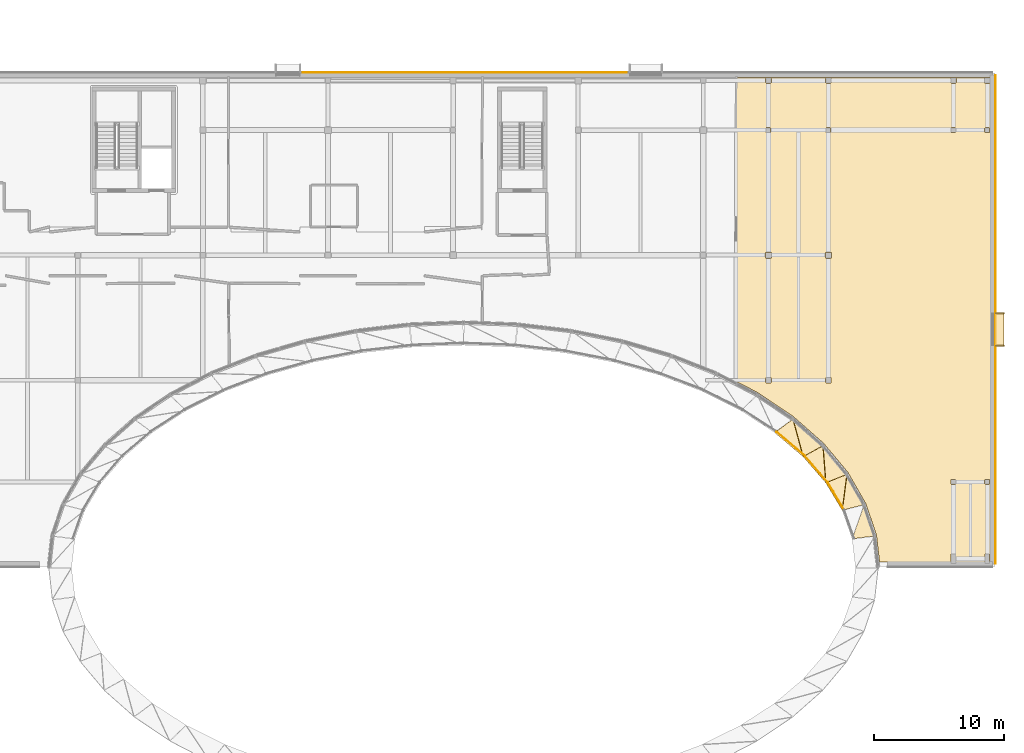
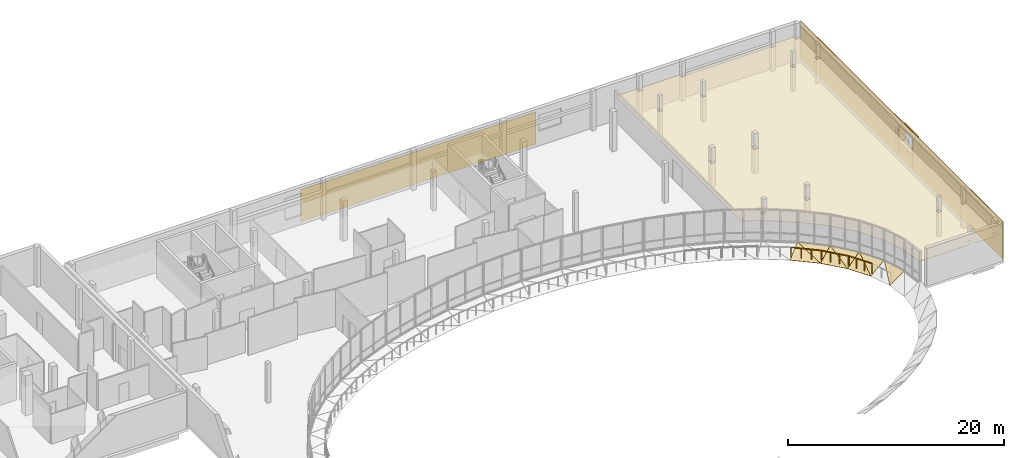
# One storey, part 39 of 41: 17 coverings, 3 railings.
"""IFC4 building model written with IfcOpenShell, lengths in metres."""

import ifcopenshell
import ifcopenshell.guid

model = None  # the IFC model being written
_history = None  # IfcOwnerHistory: only IFC2X3 demands one
_inside = {}  # id of a spatial element -> (the spatial element, [elements in it])
_under = {}  # id of a project, library or spatial element -> (it, [spatial elements below it])
_declared = {}  # id of a project -> (the project, [libraries it declares])
_typed = {}  # id of a type object -> (the type object, [elements of that type])
_made_of = {}  # id of a material, layer set ... -> (it, [elements and type objects made of it])


def new_model(schema):
    """Start an empty IFC model of exactly this schema.

    Asked for "IFC4X3", IfcOpenShell would pick the latest addendum, in which some entities
    have other attributes; the version numbers below select the first issue.
    IFC2X3 requires an IfcOwnerHistory on every rooted entity: one is made here for all.
    """
    global model, _history
    if schema == "IFC4X3":
        model = ifcopenshell.file(schema_version=(4, 3, 0, 0))
    else:
        model = ifcopenshell.file(schema=schema)
    _inside.clear()
    _under.clear()
    _declared.clear()
    _typed.clear()
    _made_of.clear()
    _history = None
    if model.schema == "IFC2X3":
        org = make("IfcOrganization", Name="unknown")
        user = make(
            "IfcPersonAndOrganization",
            ThePerson=make("IfcPerson", FamilyName="unknown"),
            TheOrganization=org,
        )
        app = make(
            "IfcApplication",
            ApplicationDeveloper=org,
            Version="unknown",
            ApplicationFullName="unknown",
            ApplicationIdentifier="unknown",
        )
        _history = make(
            "IfcOwnerHistory",
            OwningUser=user,
            OwningApplication=app,
            ChangeAction="ADDED",
            CreationDate=0,
        )
    return model


def make(cls, **values):
    """One entity of the class cls with the attributes given. An attribute that is None is left unset."""
    return model.create_entity(
        cls, **{name: value for name, value in values.items() if value is not None}
    )


def rooted(cls, **values):
    """An entity with a GlobalId (a new one), such as an element, a storey or a relation."""
    return make(cls, GlobalId=ifcopenshell.guid.new(), OwnerHistory=_history, **values)


def si_unit(unit_type, name, prefix=None):
    """IfcSIUnit, for example si_unit("LENGTHUNIT", "METRE", prefix="MILLI")."""
    return make("IfcSIUnit", UnitType=unit_type, Prefix=prefix, Name=name)


def assignment(units):
    """IfcUnitAssignment: the units of a project."""
    return None if units is None else make("IfcUnitAssignment", Units=units)


def point(xyz):
    """IfcCartesianPoint."""
    return None if xyz is None else make("IfcCartesianPoint", Coordinates=xyz)


def direction(xyz):
    """IfcDirection."""
    return None if xyz is None else make("IfcDirection", DirectionRatios=xyz)


def frame(location, z_axis=None, x_axis=None):
    """IfcAxis2Placement3D, a coordinate frame: its origin and axes. An axis left out is left unset."""
    return make(
        "IfcAxis2Placement3D",
        Location=point(location),
        Axis=direction(z_axis),
        RefDirection=direction(x_axis),
    )


def frame_2d(location, x_axis=None):
    """IfcAxis2Placement2D, a coordinate frame in the plane: its origin and x axis."""
    return make(
        "IfcAxis2Placement2D", Location=point(location), RefDirection=direction(x_axis)
    )


def origin():
    """The frame at (0, 0, 0) with its axes left unset."""
    return frame((0.0, 0.0, 0.0))


def origin_2d():
    """The frame at (0, 0) in the plane with its x axis left unset."""
    return frame_2d((0.0, 0.0))


def place(relative_to, where):
    """IfcLocalPlacement: puts the frame where relative to a parent placement (None: the world)."""
    return make(
        "IfcLocalPlacement", PlacementRelTo=relative_to, RelativePlacement=where
    )


def context(
    kind, dimensions, precision=None, world=None, true_north=None, identifier=None
):
    """IfcGeometricRepresentationContext, for example the 3D "Model" context."""
    return make(
        "IfcGeometricRepresentationContext",
        ContextIdentifier=identifier,
        ContextType=kind,
        CoordinateSpaceDimension=dimensions,
        Precision=precision,
        WorldCoordinateSystem=world,
        TrueNorth=true_north,
    )


def subcontext(parent, identifier, kind, view, scale=None):
    """IfcGeometricRepresentationSubContext, for example "Body" below "Model"."""
    return make(
        "IfcGeometricRepresentationSubContext",
        ContextIdentifier=identifier,
        ContextType=kind,
        ParentContext=parent,
        TargetScale=scale,
        TargetView=view,
    )


def project(units=None, contexts=None):
    """IfcProject with its units and contexts."""
    return rooted(
        "IfcProject",
        Name="project",
        RepresentationContexts=contexts,
        UnitsInContext=assignment(units),
    )


def spatial(cls, under=None, at=None, **own):
    """A site, building, storey or space (cls), placed at a placement, below another one or the project."""
    s = rooted(cls, ObjectPlacement=at, **own)
    if under is not None:
        _under.setdefault(under.id(), (under, []))[1].append(s)
    return s


def polyline(points):
    """IfcPolyline through the points."""
    return make("IfcPolyline", Points=[point(p) for p in points])


def profile(cls, at=None, kind="AREA", **sizes):
    """A parametric profile (cls). Its sizes go by their IFC names, for example OverallWidth=200.0."""
    return make(cls, ProfileType=kind, Position=at, **sizes)


def rectangle(**sizes):
    """IfcRectangleProfileDef."""
    return profile("IfcRectangleProfileDef", **sizes)


def circle(**sizes):
    """IfcCircleProfileDef."""
    return profile("IfcCircleProfileDef", **sizes)


def outline(outer, holes=None, kind="AREA"):
    """IfcArbitraryClosedProfileDef: a profile drawn as a closed curve; with holes, ...WithVoids."""
    if holes is None:
        return make("IfcArbitraryClosedProfileDef", ProfileType=kind, OuterCurve=outer)
    return make(
        "IfcArbitraryProfileDefWithVoids",
        ProfileType=kind,
        OuterCurve=outer,
        InnerCurves=holes,
    )


def extrude(swept, where, along, depth):
    """IfcExtrudedAreaSolid: the profile swept, set in the frame where, extruded along a direction by depth."""
    return make(
        "IfcExtrudedAreaSolid",
        SweptArea=swept,
        Position=where,
        ExtrudedDirection=direction(along),
        Depth=depth,
    )


def shape(context_of_items, identifier, shape_type, items):
    """IfcShapeRepresentation: the items that make up one representation, for example the "Body"."""
    return make(
        "IfcShapeRepresentation",
        ContextOfItems=context_of_items,
        RepresentationIdentifier=identifier,
        RepresentationType=shape_type,
        Items=items,
    )


def material(Name=None, Category=None):
    """IfcMaterial."""
    return make("IfcMaterial", Name=Name, Category=Category)


def layer(
    of_material, thickness, ventilated=None, Name=None, Category=None, Priority=None
):
    """IfcMaterialLayer: one layer of a wall or slab, of a material (None: an air gap)."""
    return make(
        "IfcMaterialLayer",
        Material=of_material,
        LayerThickness=thickness,
        IsVentilated=ventilated,
        Name=Name,
        Category=Category,
        Priority=Priority,
    )


def layer_set(layers, Name=None):
    """IfcMaterialLayerSet."""
    return make("IfcMaterialLayerSet", MaterialLayers=layers, LayerSetName=Name)


def made_of(thing, what):
    """Note that an element or type object is made of a material, layer set ...; save() writes the relation."""
    if what is not None:
        _made_of.setdefault(what.id(), (what, []))[1].append(thing)
    return thing


def type_object(cls, material=None, **own):
    """A type object (cls), such as IfcWallType, which elements share."""
    return made_of(rooted(cls, **own), material)


def element(
    cls,
    number,
    at=None,
    inside=None,
    cuts=None,
    type_object=None,
    material=None,
    context=None,
    identifier="Body",
    shape_type=None,
    held_by="IfcProductDefinitionShape",
    body=None,
    shapes=None,
    **own,
):
    """One element of the class cls, such as IfcWall. Its Tag is "e" and its number.

    at: its placement. inside: the storey or other place that contains it. cuts: it is an
    opening in that element (IfcRelVoidsElement). A single representation is given by context,
    identifier, shape_type and body (its items); several are given by shapes. held_by: the class
    of the entity that holds the representations. save() writes the other relations.
    """
    e = rooted(cls, Tag="e%d" % number, ObjectPlacement=at, **own)
    if body is not None:
        shapes = [shape(context, identifier, shape_type, body)]
    if shapes is not None:
        e.Representation = make(held_by, Representations=shapes)
    if inside is not None:
        _inside.setdefault(inside.id(), (inside, []))[1].append(e)
    if cuts is not None:
        rooted(
            "IfcRelVoidsElement", RelatingBuildingElement=cuts, RelatedOpeningElement=e
        )
    if type_object is not None:
        _typed.setdefault(type_object.id(), (type_object, []))[1].append(e)
    return made_of(e, material)


def aggregate(whole, parts):
    """IfcRelAggregates: a whole, such as a stair, and the parts it consists of."""
    return rooted("IfcRelAggregates", RelatingObject=whole, RelatedObjects=parts)


def save(model, path):
    """Write the relations noted so far, then the file.

    IfcRelAggregates (storeys below a building ...), IfcRelContainedInSpatialStructure (elements
    in a storey), IfcRelDefinesByType, IfcRelAssociatesMaterial and IfcRelDeclares: one each for
    every whole, place, type object, material and project.
    """
    for whole, parts in _under.values():
        aggregate(whole, parts)
    for where, things in _inside.values():
        rooted(
            "IfcRelContainedInSpatialStructure",
            RelatedElements=things,
            RelatingStructure=where,
        )
    for kind, things in _typed.values():
        rooted("IfcRelDefinesByType", RelatedObjects=things, RelatingType=kind)
    for what, things in _made_of.values():
        rooted("IfcRelAssociatesMaterial", RelatedObjects=things, RelatingMaterial=what)
    for by, libraries in _declared.values():
        rooted("IfcRelDeclares", RelatingContext=by, RelatedDefinitions=libraries)
    model.write(path)


model = new_model("IFC4")

# Units and contexts
model_context = context("Model", 3, precision=1e-05, world=origin(), true_north=direction((0.0, 1.0)))
body_context = subcontext(model_context, "Body", "Model", "MODEL_VIEW")
ifc_project = project(units=[si_unit("LENGTHUNIT", "METRE"), si_unit("AREAUNIT", "SQUARE_METRE"), si_unit("VOLUMEUNIT", "CUBIC_METRE"), si_unit("PLANEANGLEUNIT", "RADIAN"), si_unit("MASSUNIT", "GRAM", prefix="KILO")], contexts=[model_context])

# Site, building, storey
site_placement = place(None, origin())
site = spatial("IfcSite", under=ifc_project, at=site_placement, CompositionType="ELEMENT")
building_placement = place(site_placement, origin())
building = spatial("IfcBuilding", under=site, at=building_placement, Name="Mzevani Central Library", CompositionType="ELEMENT")
storey_placement = place(building_placement, frame((0.0, 0.0, 13.800048828125)))
storey = spatial("IfcBuildingStorey", under=building, at=storey_placement, Name="L03", CompositionType="ELEMENT", Elevation=13.800048828125)

# Coverings
ifc_material_1 = material(Name="Limestone ashlar cladding", Category="masonry")
ifc_layer_1 = layer(ifc_material_1, 0.050048828125, Name="Limestone Ashlar Spandrel Cladding")
ifc_layer_set_1 = layer_set([ifc_layer_1], Name="Limestone ashlar cladding")
covering_type_1 = type_object("IfcCoveringType", Name="Limestone Ashlar Spandrel Cladding", PredefinedType="CLADDING", material=ifc_layer_set_1)
covering_1_placement = place(storey_placement, frame((113.82275390625, 78.2294921875, -0.280029296875), z_axis=(-0.464457952426, -0.156861412767, 0.871592397634), x_axis=(0.313612988675, 0.891277285213, 0.32752357808)))
element("IfcCovering", 1, at=covering_1_placement, inside=storey, type_object=covering_type_1, Name="L03 Curved Court Spandrel Apron 2B", PredefinedType="CLADDING", context=body_context, shape_type="SweptSolid", body=[
    extrude(outline(polyline([(0.0, 0.0), (2.9309674226433478, -1.1102230246251565e-16), (1.0557652381256715, -1.6837401707291324), (0.0, 0.0)])), origin(), (0.0, 0.0, -1.0), 0.06005859375),
])
covering_2_placement = place(storey_placement, frame((113.056396484375, 80.418212890625, -0.280029296875), z_axis=(-0.419175058928, -0.250941667186, 0.872536847155), x_axis=(-0.513647601464, 0.858001247965, 0.0)))
element("IfcCovering", 2, at=covering_2_placement, inside=storey, type_object=covering_type_1, Name="L03 Curved Court Spandrel Apron 3A", PredefinedType="CLADDING", context=body_context, shape_type="SweptSolid", body=[
    extrude(outline(polyline([(0.0, 0.0), (2.455914533191977, 2.220446049250313e-16), (2.1741932049291943, -1.9649253094378456), (0.0, 0.0)])), origin(), (0.0, 0.0, -1.0), 0.06005859375),
])
covering_3_placement = place(storey_placement, frame((113.056396484375, 80.418212890625, -0.280029296875), z_axis=(-0.430217970379, -0.247934575326, 0.868009760499), x_axis=(0.120881612304, 0.937061595588, 0.327571674418)))
element("IfcCovering", 3, at=covering_3_placement, inside=storey, type_object=covering_type_1, Name="L03 Curved Court Spandrel Apron 3B", PredefinedType="CLADDING", context=body_context, shape_type="SweptSolid", body=[
    extrude(outline(polyline([(0.0, 0.0), (2.930537077743548, 0.0), (0.9308215228174557, -1.7553666188801285), (0.0, 0.0)])), origin(), (0.0, 0.0, -1.0), 0.06005859375),
])
covering_4_placement = place(storey_placement, frame((111.79345703125, 82.531982421875, -0.280029296875), z_axis=(-0.371487051166, -0.323085569701, 0.870409722755), x_axis=(-0.65624041915, 0.754551861884, 0.0)))
element("IfcCovering", 4, at=covering_4_placement, inside=storey, type_object=covering_type_1, Name="L03 Curved Court Spandrel Apron 4A", PredefinedType="CLADDING", context=body_context, shape_type="SweptSolid", body=[
    extrude(outline(polyline([(0.0, 0.0), (2.6447558737265093, 0.0), (2.2791691206791382, -1.949840002374191), (0.0, 0.0)])), origin(), (0.0, 0.0, -1.0), 0.06005859375),
])
covering_5_placement = place(storey_placement, frame((111.79345703125, 82.531982421875, -0.280029296875), z_axis=(-0.384887649304, -0.322231520347, 0.864886318951), x_axis=(-0.071709956653, 0.944683038494, 0.320049431962)))
element("IfcCovering", 5, at=covering_5_placement, inside=storey, type_object=covering_type_1, Name="L03 Curved Court Spandrel Apron 4B", PredefinedType="CLADDING", context=body_context, shape_type="SweptSolid", body=[
    extrude(outline(polyline([(0.0, 0.0), (2.9994145954695726, 5.551115123125783e-17), (0.8055158523781569, -1.815745297591589), (0.0, 0.0)])), origin(), (0.0, 0.0, -1.0), 0.06005859375),
])
covering_6_placement = place(storey_placement, frame((110.0556640625, 84.534423828125, -0.280029296875), z_axis=(-0.320099164683, -0.377158667452, 0.869072991374), x_axis=(-0.762423614177, 0.647078227531, 0.0)))
element("IfcCovering", 6, at=covering_6_placement, inside=storey, type_object=covering_type_1, Name="L03 Curved Court Spandrel Apron 5A", PredefinedType="CLADDING", context=body_context, shape_type="SweptSolid", body=[
    extrude(outline(polyline([(0.0, 0.0), (2.8595333889310774, 0.0), (2.454430747507569, -1.9405543358787816), (0.0, 0.0)])), origin(), (0.0, 0.0, -1.0), 0.06005859375),
])
covering_7_placement = place(storey_placement, frame((110.0556640625, 84.534423828125, -0.280029296875), z_axis=(-0.334048944153, -0.378927203172, 0.863032721052), x_axis=(-0.249298680946, 0.918542745571, 0.30680513724)))
element("IfcCovering", 7, at=covering_7_placement, inside=storey, type_object=covering_type_1, Name="L03 Curved Court Spandrel Apron 5B", PredefinedType="CLADDING", context=body_context, shape_type="SweptSolid", body=[
    extrude(outline(polyline([(0.0, 0.0), (3.128894601102521, 0.0), (0.696897570033493, -1.8593102751747972), (0.0, 0.0)])), origin(), (0.0, 0.0, -1.0), 0.06005859375),
])
covering_8_placement = place(storey_placement, frame((84.10009765625, 114.02392578125, 0.0), z_axis=(0.0, 0.0, 1.0), x_axis=(1.0, 0.0, 0.0)))
element("IfcCovering", 8, at=covering_8_placement, inside=storey, type_object=covering_type_1, Name="L03 Warm-White Facade Pier 3 (EW4-V3-L03-0064)", PredefinedType="CLADDING", context=body_context, shape_type="SweptSolid", body=[
    extrude(rectangle(XDim=25.122314453125, YDim=0.050048828125, at=origin_2d()), origin(), (0.0, 0.0, 1.0), 3.64990234375),
])
for number, where, z_axis, x_axis, name in (
    (9, (125.137939453125, 94.299560546875, 3.44970703125), (0.0, 0.0, 1.0), (0.0, -1.0, 0.0), "L03 Deep Window Reveal HD (REV4-0130)"),
    (10, (125.137939453125, 94.299560546875, 1.56005859375), (0.0, 0.0, 1.0), (0.0, -1.0, 0.0), "L03 Deep Window Reveal SL (REV4-0130)"),
):
    element("IfcCovering", number, at=place(storey_placement, frame(where, z_axis=z_axis, x_axis=x_axis)), inside=storey, type_object=covering_type_1, Name=name, PredefinedType="CLADDING", context=body_context, shape_type="SweptSolid", body=[
        extrude(rectangle(XDim=2.580078125, YDim=0.679931640625, at=origin_2d()), origin(), (0.0, 0.0, 1.0), 0.090087890625),
    ])
for number, where, z_axis, x_axis, name in (
    (11, (125.137939453125, 95.544677734375, 1.64990234375), (0.0, 0.0, 1.0), (0.0, -1.0, 0.0), "L03 Deep Window Reveal JL (REV4-0130)"),
    (12, (125.137939453125, 93.0546875, 1.64990234375), (0.0, 0.0, 1.0), (0.0, -1.0, 0.0), "L03 Deep Window Reveal JR (REV4-0130)"),
):
    element("IfcCovering", number, at=place(storey_placement, frame(where, z_axis=z_axis, x_axis=x_axis)), inside=storey, type_object=covering_type_1, Name=name, PredefinedType="CLADDING", context=body_context, shape_type="SweptSolid", body=[
        extrude(rectangle(XDim=0.090087890625, YDim=0.679931640625, at=origin_2d()), origin(), (0.0, 0.0, 1.0), 1.800048828125),
    ])
covering_9_placement = place(storey_placement, frame((124.823974609375, 95.050048828125, 3.550048828125), z_axis=(0.0, 0.0, 1.0), x_axis=(0.0, -1.0, 0.0)))
element("IfcCovering", 13, at=covering_9_placement, inside=storey, type_object=covering_type_1, Name="L03 Warm-White Facade Spandrel (EW4-V3-L03-0065)", PredefinedType="CLADDING", context=body_context, shape_type="SweptSolid", body=[
    extrude(rectangle(XDim=37.47998046875, YDim=0.050048828125, at=origin_2d()), origin(), (0.0, 0.0, 1.0), 0.68994140625),
])
covering_10_placement = place(storey_placement, frame((124.823974609375, 104.704833984375, 0.0), z_axis=(0.0, 0.0, 1.0), x_axis=(0.0, -1.0, 0.0)))
element("IfcCovering", 14, at=covering_10_placement, inside=storey, type_object=covering_type_1, Name="L03 Warm-White Facade Pier 1 (EW4-V3-L03-0065)", PredefinedType="CLADDING", context=body_context, shape_type="SweptSolid", body=[
    extrude(rectangle(XDim=18.17041015625, YDim=0.050048828125, at=origin_2d()), origin(), (0.0, 0.0, 1.0), 3.550048828125),
])
covering_11_placement = place(storey_placement, frame((124.823974609375, 94.299560546875, 0.0), z_axis=(0.0, 0.0, 1.0), x_axis=(0.0, -1.0, 0.0)))
element("IfcCovering", 15, at=covering_11_placement, inside=storey, type_object=covering_type_1, Name="L03 Warm-White Sill Cladding 2 (EW4-V3-L03-0065)", PredefinedType="CLADDING", context=body_context, shape_type="SweptSolid", body=[
    extrude(rectangle(XDim=2.60009765625, YDim=0.050048828125, at=origin_2d()), origin(), (0.0, 0.0, 1.0), 1.550048828125),
])
covering_12_placement = place(storey_placement, frame((124.823974609375, 84.644775390625, 0.0), z_axis=(0.0, 0.0, 1.0), x_axis=(0.0, -1.0, 0.0)))
element("IfcCovering", 16, at=covering_12_placement, inside=storey, type_object=covering_type_1, Name="L03 Warm-White Facade Pier 3 (EW4-V3-L03-0065)", PredefinedType="CLADDING", context=body_context, shape_type="SweptSolid", body=[
    extrude(rectangle(XDim=16.669677734375, YDim=0.050048828125, at=origin_2d()), origin(), (0.0, 0.0, 1.0), 3.550048828125),
])
ifc_material_2 = material(Name="Mineral wool acoustic ceiling")
ifc_layer_2 = layer(ifc_material_2, 0.0400390625, Name="Perforated Timber Acoustic Ceiling")
ifc_layer_set_2 = layer_set([ifc_layer_2], Name="Mineral wool acoustic ceiling")
covering_type_2 = type_object("IfcCoveringType", Name="Perforated Timber Acoustic Ceiling", PredefinedType="CEILING", material=ifc_layer_set_2)
covering_13_placement = place(storey_placement, frame((0.0, 0.0, 2.72998046875)))
element("IfcCovering", 17, at=covering_13_placement, inside=storey, type_object=covering_type_2, Name="L03 Sunlit Court Overlook Reading Room 3 Acoustic Ceiling", PredefinedType="CEILING", context=body_context, shape_type="SweptSolid", body=[
    extrude(outline(polyline([(104.930419921875, 90.307861328125), (104.92724609375, 113.626220703125), (124.42626953125, 113.627685546875), (124.427734375, 76.4736328125), (124.375, 76.469970703125), (124.375, 77.050048828125), (124.02490234375, 77.050048828125), (124.02490234375, 76.469970703125), (121.77490234375, 76.469970703125), (121.77490234375, 77.050048828125), (121.425048828125, 77.050048828125), (121.425048828125, 76.469970703125), (115.92333984375, 76.4716796875), (115.69091796875, 78.509521484375), (114.8740234375, 80.934814453125), (113.477783203125, 83.36083984375), (111.63134765625, 85.564453125), (109.315185546875, 87.607666015625), (106.55126953125, 89.4677734375), (104.930419921875, 90.307861328125)]), holes=[polyline([(107.60009765625, 90.199951171875), (107.60009765625, 90.60009765625), (107.199951171875, 90.60009765625), (107.199951171875, 90.199951171875), (107.60009765625, 90.199951171875)]), polyline([(107.175048828125, 99.77490234375), (107.625, 99.77490234375), (107.625, 100.22509765625), (107.175048828125, 100.22509765625), (107.175048828125, 99.77490234375)]), polyline([(107.22509765625, 109.77490234375), (107.22509765625, 109.425048828125), (107.574951171875, 109.425048828125), (107.574951171875, 109.77490234375), (107.22509765625, 109.77490234375)]), polyline([(107.60009765625, 113.60009765625), (107.199951171875, 113.60009765625), (107.199951171875, 113.199951171875), (107.60009765625, 113.199951171875), (107.60009765625, 113.60009765625)]), polyline([(112.199951171875, 90.199951171875), (112.199951171875, 90.60009765625), (111.800048828125, 90.60009765625), (111.800048828125, 90.199951171875), (112.199951171875, 90.199951171875)]), polyline([(111.77490234375, 99.77490234375), (112.22509765625, 99.77490234375), (112.22509765625, 100.22509765625), (111.77490234375, 100.22509765625), (111.77490234375, 99.77490234375)]), polyline([(111.824951171875, 109.77490234375), (111.824951171875, 109.425048828125), (112.175048828125, 109.425048828125), (112.175048828125, 109.77490234375), (111.824951171875, 109.77490234375)]), polyline([(112.199951171875, 113.60009765625), (111.800048828125, 113.60009765625), (111.800048828125, 113.199951171875), (112.199951171875, 113.199951171875), (112.199951171875, 113.60009765625)]), polyline([(121.425048828125, 82.425048828125), (121.77490234375, 82.425048828125), (121.77490234375, 82.77490234375), (121.425048828125, 82.77490234375), (121.425048828125, 82.425048828125)]), polyline([(121.425048828125, 109.77490234375), (121.425048828125, 109.425048828125), (121.77490234375, 109.425048828125), (121.77490234375, 109.77490234375), (121.425048828125, 109.77490234375)]), polyline([(121.800048828125, 113.60009765625), (121.39990234375, 113.60009765625), (121.39990234375, 113.199951171875), (121.800048828125, 113.199951171875), (121.800048828125, 113.60009765625)]), polyline([(124.02490234375, 82.425048828125), (124.375, 82.425048828125), (124.375, 82.77490234375), (124.02490234375, 82.77490234375), (124.02490234375, 82.425048828125)]), polyline([(124.02490234375, 109.77490234375), (124.02490234375, 109.425048828125), (124.375, 109.425048828125), (124.375, 109.77490234375), (124.02490234375, 109.77490234375)]), polyline([(124.39990234375, 113.60009765625), (124.0, 113.60009765625), (124.0, 113.199951171875), (124.39990234375, 113.199951171875), (124.39990234375, 113.60009765625)])]), origin(), (0.0, 0.0, 1.0), 0.0400390625),
])

# Railings
ifc_material_3 = material(Name="Anodized architectural bronze")
railing_type = type_object("IfcRailingType", Name="Terrace and Court Balustrade 1100", PredefinedType="BALUSTRADE", material=ifc_material_3)
railing_1_placement = place(storey_placement, frame((113.21337890625, 80.448486328125, 0.0)))
element("IfcRailing", 18, at=railing_1_placement, inside=storey, type_object=railing_type, Name="L03 Elliptical Court Terrace Guard 3", PredefinedType="BALUSTRADE", context=body_context, shape_type="SweptSolid", body=[
    extrude(circle(Radius=0.02392578125, at=origin_2d()), frame((0.0, 0.0, 1.076171875), z_axis=(-0.513574414134, 0.85804505776, 0.0), x_axis=(-0.85804505776, -0.513574414134, 0.0)), (0.0, 0.0, 1.0), 2.455810546875),
    extrude(circle(Radius=0.02099609375, at=origin_2d()), origin(), (0.0, 0.0, 1.0), 1.052001953125),
    extrude(circle(Radius=0.02099609375, at=origin_2d()), frame((-0.42041015625, 0.702392578125, 0.0)), (0.0, 0.0, 1.0), 1.052001953125),
    extrude(circle(Radius=0.02099609375, at=origin_2d()), frame((-0.8408203125, 1.40478515625, 0.0)), (0.0, 0.0, 1.0), 1.052001953125),
    extrude(circle(Radius=0.02099609375, at=origin_2d()), frame((-1.26123046875, 2.107177734375, 0.0)), (0.0, 0.0, 1.0), 1.052001953125),
])
railing_2_placement = place(storey_placement, frame((111.947509765625, 82.574951171875, 0.0)))
element("IfcRailing", 19, at=railing_2_placement, inside=storey, type_object=railing_type, Name="L03 Elliptical Court Terrace Guard 4", PredefinedType="BALUSTRADE", context=body_context, shape_type="SweptSolid", body=[
    extrude(circle(Radius=0.02392578125, at=origin_2d()), frame((0.0, 0.0, 1.076171875), z_axis=(-0.656194711624, 0.754591611693, 0.0), x_axis=(-0.754591611693, -0.656194711624, 0.0)), (0.0, 0.0, 1.0), 2.64501953125),
    extrude(circle(Radius=0.02099609375, at=origin_2d()), origin(), (0.0, 0.0, 1.0), 1.052001953125),
    extrude(circle(Radius=0.02099609375, at=origin_2d()), frame((-0.57861328125, 0.665283203125, 0.0)), (0.0, 0.0, 1.0), 1.052001953125),
    extrude(circle(Radius=0.02099609375, at=origin_2d()), frame((-1.156982421875, 1.33056640625, 0.0)), (0.0, 0.0, 1.0), 1.052001953125),
    extrude(circle(Radius=0.02099609375, at=origin_2d()), frame((-1.735595703125, 1.995849609375, 0.0)), (0.0, 0.0, 1.0), 1.052001953125),
])
railing_3_placement = place(storey_placement, frame((110.205078125, 84.59130859375, 0.0)))
element("IfcRailing", 20, at=railing_3_placement, inside=storey, type_object=railing_type, Name="L03 Elliptical Court Terrace Guard 5", PredefinedType="BALUSTRADE", context=body_context, shape_type="SweptSolid", body=[
    extrude(circle(Radius=0.02392578125, at=origin_2d()), frame((0.0, 0.0, 1.076171875), z_axis=(-0.762465735824, 0.647028594186, 0.0), x_axis=(-0.647028594186, -0.762465735824, 0.0)), (0.0, 0.0, 1.0), 2.859375),
    extrude(circle(Radius=0.02099609375, at=origin_2d()), origin(), (0.0, 0.0, 1.0), 1.052001953125),
    extrude(circle(Radius=0.02099609375, at=origin_2d()), frame((-0.726806640625, 0.61669921875, 0.0)), (0.0, 0.0, 1.0), 1.052001953125),
    extrude(circle(Radius=0.02099609375, at=origin_2d()), frame((-1.453369140625, 1.2333984375, 0.0)), (0.0, 0.0, 1.0), 1.052001953125),
    extrude(circle(Radius=0.02099609375, at=origin_2d()), frame((-2.18017578125, 1.85009765625, 0.0)), (0.0, 0.0, 1.0), 1.052001953125),
])

save(model, "model.ifc")
